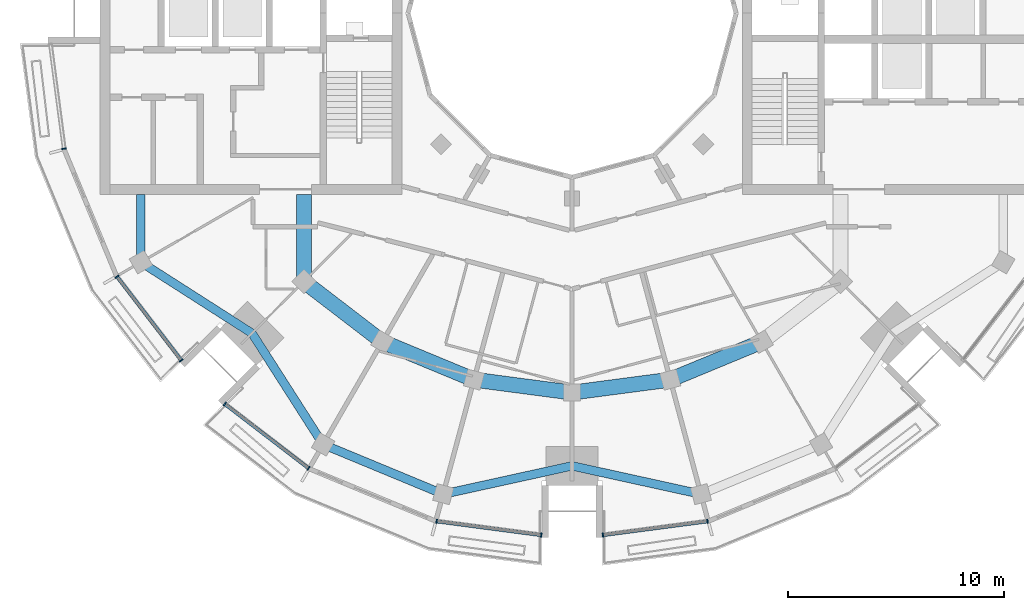
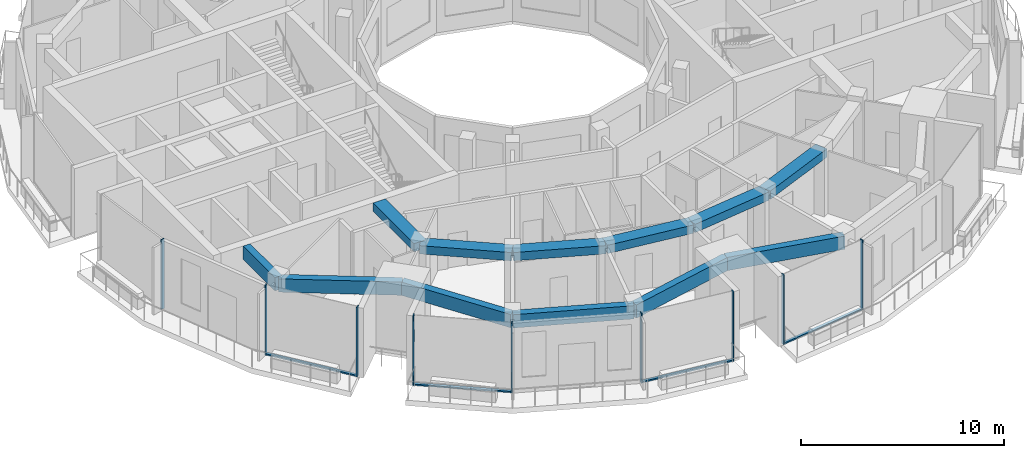
# One storey, part 2 of 17: 13 members, 12 beams, 5 elements without a shape of their own.
"""IFC4 building model written with IfcOpenShell, lengths in metres."""

from ifc_helpers import new_model, si_unit, direction, frame, origin, origin_2d, place, context, subcontext, project, spatial, rectangle, extrude, material, layer, layer_set, material_profile, profile_set, type_object, element, aggregate, save


model = new_model("IFC4")

# Units and contexts
model_context = context("Model", 3, precision=1e-05, world=origin(), true_north=direction((0.0, 1.0)))
body_context = subcontext(model_context, "Body", "Model", "MODEL_VIEW")
ifc_project = project(units=[si_unit("LENGTHUNIT", "METRE"), si_unit("AREAUNIT", "SQUARE_METRE"), si_unit("VOLUMEUNIT", "CUBIC_METRE"), si_unit("PLANEANGLEUNIT", "RADIAN"), si_unit("MASSUNIT", "GRAM", prefix="KILO")], contexts=[model_context])

# Site, building, storey
site_placement = place(None, origin())
site = spatial("IfcSite", under=ifc_project, at=site_placement, CompositionType="ELEMENT")
building_placement = place(site_placement, origin())
building = spatial("IfcBuilding", under=site, at=building_placement, Name="Torre Brocal", CompositionType="ELEMENT")
storey_placement = place(building_placement, frame((0.0, 0.0, 275.699951171875)))
storey = spatial("IfcBuildingStorey", under=building, at=storey_placement, Name="L63", CompositionType="ELEMENT", Elevation=275.699951171875)

# Curtain wall, members
ifc_material_1 = material(Name="Aluminium and glass", Category="aluminium")
ifc_layer_1 = layer(ifc_material_1, 0.199951171875)
ifc_layer_set_1 = layer_set([ifc_layer_1], Name="Aluminium and glass")
curtain_wall_type_1 = type_object("IfcCurtainWallType", Name="CW-1 CURTAIN WALL 4200 HIGH", PredefinedType="NOTDEFINED", material=ifc_layer_set_1)
curtain_wall_1_placement = place(storey_placement, origin())
curtain_wall_1 = element("IfcCurtainWall", 1, at=curtain_wall_1_placement, inside=storey, type_object=curtain_wall_type_1, Name="CW-1 RUN 15", PredefinedType="NOTDEFINED")
ifc_material_2 = material(Name="Aluminium, dark anodised", Category="aluminium")
ifc_material_profile_1 = material_profile(ifc_material_2, rectangle(XDim=0.199951171875, YDim=0.06005859375, at=origin_2d()), Name="CW-1 MULLION 60X200")
ifc_profile_set_1 = profile_set([ifc_material_profile_1], Name="Aluminium, dark anodised")
member_type_1 = type_object("IfcMemberType", Name="CW-1 MULLION 60X200", PredefinedType="MULLION", material=ifc_profile_set_1)
member_1_placement = place(storey_placement, frame((58.887939453125, 62.776611328125, 0.0), z_axis=(0.0, 0.0, 1.0), x_axis=(0.793353340344, 0.608761428939, 0.0)))
member_1 = element("IfcMember", 2, at=member_1_placement, type_object=member_type_1, Name="CW1-5 mullion 1", PredefinedType="MULLION", context=body_context, shape_type="SweptSolid", body=[
    extrude(rectangle(XDim=0.199951171875, YDim=0.06005859375, at=origin_2d()), origin(), (0.0, 0.0, 1.0), 4.199951171875),
])
member_2_placement = place(storey_placement, frame((61.869384765625, 58.891357421875, 0.0), z_axis=(0.0, 0.0, 1.0), x_axis=(0.793353340344, 0.608761428939, 0.0)))
member_2 = element("IfcMember", 3, at=member_2_placement, type_object=member_type_1, Name="CW1-5 mullion 2", PredefinedType="MULLION", context=body_context, shape_type="SweptSolid", body=[
    extrude(rectangle(XDim=0.199951171875, YDim=0.06005859375, at=origin_2d()), origin(), (0.0, 0.0, 1.0), 4.199951171875),
])

curtain_wall_2_placement = place(storey_placement, origin())
curtain_wall_2 = element("IfcCurtainWall", 4, at=curtain_wall_2_placement, inside=storey, type_object=curtain_wall_type_1, Name="CW-1 RUN 16", PredefinedType="NOTDEFINED")
member_3_placement = place(storey_placement, frame((63.891357421875, 56.869384765625, 0.0), z_axis=(0.0, 0.0, 1.0), x_axis=(0.608761428939, 0.793353340344, 0.0)))
member_3 = element("IfcMember", 5, at=member_3_placement, type_object=member_type_1, Name="CW1-5 mullion 1", PredefinedType="MULLION", context=body_context, shape_type="SweptSolid", body=[
    extrude(rectangle(XDim=0.199951171875, YDim=0.06005859375, at=origin_2d()), origin(), (0.0, 0.0, 1.0), 4.199951171875),
])
member_4_placement = place(storey_placement, frame((67.776611328125, 53.887939453125, 0.0), z_axis=(0.0, 0.0, 1.0), x_axis=(0.608761428939, 0.793353340344, 0.0)))
member_4 = element("IfcMember", 6, at=member_4_placement, type_object=member_type_1, Name="CW1-5 mullion 2", PredefinedType="MULLION", context=body_context, shape_type="SweptSolid", body=[
    extrude(rectangle(XDim=0.199951171875, YDim=0.06005859375, at=origin_2d()), origin(), (0.0, 0.0, 1.0), 4.199951171875),
])

curtain_wall_3_placement = place(storey_placement, origin())
curtain_wall_3 = element("IfcCurtainWall", 7, at=curtain_wall_3_placement, inside=storey, type_object=curtain_wall_type_1, Name="CW-1 RUN 18", PredefinedType="NOTDEFINED")
member_5_placement = place(storey_placement, frame((73.71484375, 51.42822265625, 0.0), z_axis=(0.0, 0.0, 1.0), x_axis=(0.130526192116, 0.991444861387, 0.0)))
member_5 = element("IfcMember", 8, at=member_5_placement, type_object=member_type_1, Name="CW1-5 mullion 1", PredefinedType="MULLION", context=body_context, shape_type="SweptSolid", body=[
    extrude(rectangle(XDim=0.199951171875, YDim=0.06005859375, at=origin_2d()), origin(), (0.0, 0.0, 1.0), 4.199951171875),
])
member_6_placement = place(storey_placement, frame((78.5703125, 50.7890625, 0.0), z_axis=(0.0, 0.0, 1.0), x_axis=(0.130526192116, 0.991444861387, 0.0)))
member_6 = element("IfcMember", 9, at=member_6_placement, type_object=member_type_1, Name="CW1-5 mullion 2", PredefinedType="MULLION", context=body_context, shape_type="SweptSolid", body=[
    extrude(rectangle(XDim=0.199951171875, YDim=0.06005859375, at=origin_2d()), origin(), (0.0, 0.0, 1.0), 4.199951171875),
])

curtain_wall_4_placement = place(storey_placement, origin())
curtain_wall_4 = element("IfcCurtainWall", 10, at=curtain_wall_4_placement, inside=storey, type_object=curtain_wall_type_1, Name="CW-1 RUN 19", PredefinedType="NOTDEFINED")
member_7_placement = place(storey_placement, frame((81.4296875, 50.7890625, 0.0), z_axis=(0.0, 0.0, 1.0), x_axis=(-0.130526192116, 0.991444861387, 0.0)))
member_7 = element("IfcMember", 11, at=member_7_placement, type_object=member_type_1, Name="CW1-5 mullion 1", PredefinedType="MULLION", context=body_context, shape_type="SweptSolid", body=[
    extrude(rectangle(XDim=0.199951171875, YDim=0.06005859375, at=origin_2d()), origin(), (0.0, 0.0, 1.0), 4.199951171875),
])
member_8_placement = place(storey_placement, frame((86.28515625, 51.42822265625, 0.0), z_axis=(0.0, 0.0, 1.0), x_axis=(-0.130526192116, 0.991444861387, 0.0)))
member_8 = element("IfcMember", 12, at=member_8_placement, type_object=member_type_1, Name="CW1-5 mullion 2", PredefinedType="MULLION", context=body_context, shape_type="SweptSolid", body=[
    extrude(rectangle(XDim=0.199951171875, YDim=0.06005859375, at=origin_2d()), origin(), (0.0, 0.0, 1.0), 4.199951171875),
])

# Member
ifc_material_3 = material(Name="Aluminium, dark anodised", Category="aluminium")
ifc_material_profile_2 = material_profile(ifc_material_3, rectangle(XDim=0.159912109375, YDim=0.080078125, at=origin_2d()), Name="CW-1 TRANSOM 160X80")
ifc_profile_set_2 = profile_set([ifc_material_profile_2], Name="Aluminium, dark anodised")
member_type_2 = type_object("IfcMemberType", Name="CW-1 TRANSOM 160X80", PredefinedType="USERDEFINED", material=ifc_profile_set_2)
member_9_placement = place(storey_placement, frame((58.90625, 62.7529296875, 0.0400390625), z_axis=(0.608749350163, -0.793362608569, 0.0), x_axis=(0.793362608569, 0.608749350163, 0.0)))
member_9 = element("IfcMember", 13, at=member_9_placement, type_object=member_type_2, Name="CW1-5 transom 1.1", ObjectType="TRANSOM", PredefinedType="USERDEFINED", context=body_context, shape_type="SweptSolid", body=[
    extrude(rectangle(XDim=0.159912109375, YDim=0.080078125, at=origin_2d()), origin(), (0.0, 0.0, 1.0), 4.83740234375),
])

aggregate(curtain_wall_1, [member_1, member_2, member_9])

member_10_placement = place(storey_placement, frame((63.9150390625, 56.85107421875, 0.0400390625), z_axis=(0.793362608569, -0.608749350163, 0.0), x_axis=(0.608749350163, 0.793362608569, 0.0)))
member_10 = element("IfcMember", 14, at=member_10_placement, type_object=member_type_2, Name="CW1-5 transom 1.1", ObjectType="TRANSOM", PredefinedType="USERDEFINED", context=body_context, shape_type="SweptSolid", body=[
    extrude(rectangle(XDim=0.159912109375, YDim=0.080078125, at=origin_2d()), origin(), (0.0, 0.0, 1.0), 4.83740234375),
])

aggregate(curtain_wall_2, [member_3, member_4, member_10])

member_11_placement = place(storey_placement, frame((73.74462890625, 51.42431640625, 0.0400390625), z_axis=(0.991446047842, -0.130517179786, 0.0), x_axis=(0.130517179786, 0.991446047842, 0.0)))
member_11 = element("IfcMember", 15, at=member_11_placement, type_object=member_type_2, Name="CW1-5 transom 1.1", ObjectType="TRANSOM", PredefinedType="USERDEFINED", context=body_context, shape_type="SweptSolid", body=[
    extrude(rectangle(XDim=0.159912109375, YDim=0.080078125, at=origin_2d()), origin(), (0.0, 0.0, 1.0), 4.837158203125),
])

aggregate(curtain_wall_3, [member_5, member_6, member_11])

member_12_placement = place(storey_placement, frame((81.45947265625, 50.79296875, 0.0400390625), z_axis=(0.991446047842, 0.130517179786, 0.0), x_axis=(-0.130517179786, 0.991446047842, 0.0)))
member_12 = element("IfcMember", 16, at=member_12_placement, type_object=member_type_2, Name="CW1-5 transom 1.1", ObjectType="TRANSOM", PredefinedType="USERDEFINED", context=body_context, shape_type="SweptSolid", body=[
    extrude(rectangle(XDim=0.159912109375, YDim=0.080078125, at=origin_2d()), origin(), (0.0, 0.0, 1.0), 4.837158203125),
])

aggregate(curtain_wall_4, [member_7, member_8, member_12])

# Curtain wall, member
ifc_material_4 = material(Name="Aluminium and glass", Category="aluminium")
ifc_layer_2 = layer(ifc_material_4, 0.199951171875)
ifc_layer_set_2 = layer_set([ifc_layer_2], Name="Aluminium and glass")
curtain_wall_type_2 = type_object("IfcCurtainWallType", Name="CW-1B CURTAIN WALL 4200 HIGH", PredefinedType="NOTDEFINED", material=ifc_layer_set_2)
curtain_wall_5_placement = place(storey_placement, origin())
curtain_wall_5 = element("IfcCurtainWall", 17, at=curtain_wall_5_placement, inside=storey, type_object=curtain_wall_type_2, Name="CW-1B RUN 13", PredefinedType="NOTDEFINED")
ifc_material_5 = material(Name="Aluminium, dark anodised", Category="aluminium")
ifc_material_profile_3 = material_profile(ifc_material_5, rectangle(XDim=0.199951171875, YDim=0.06005859375, at=origin_2d()), Name="CW-1B MULLION 60X200")
ifc_profile_set_3 = profile_set([ifc_material_profile_3], Name="Aluminium, dark anodised")
member_type_3 = type_object("IfcMemberType", Name="CW-1B MULLION 60X200", PredefinedType="MULLION", material=ifc_profile_set_3)
member_13_placement = place(storey_placement, frame((56.42822265625, 68.71484375, 0.0), z_axis=(0.0, 0.0, 1.0), x_axis=(0.991444861387, 0.130526192116, 0.0)))
member_13 = element("IfcMember", 18, at=member_13_placement, type_object=member_type_3, Name="CW1B-5 mullion 2", PredefinedType="MULLION", context=body_context, shape_type="SweptSolid", body=[
    extrude(rectangle(XDim=0.199951171875, YDim=0.06005859375, at=origin_2d()), origin(), (0.0, 0.0, 1.0), 4.199951171875),
])
aggregate(curtain_wall_5, [member_13])

# Beams
ifc_material_6 = material(Name="Concrete C50", Category="concrete")
ifc_material_profile_4 = material_profile(ifc_material_6, rectangle(XDim=0.699951171875, YDim=0.5, at=origin_2d()), Name="RC 700X500")
ifc_profile_set_4 = profile_set([ifc_material_profile_4], Name="Concrete C50")
beam_type_1 = type_object("IfcBeamType", Name="RC BEAM 700X500 C50 TOP 3880", PredefinedType="BEAM", material=ifc_profile_set_4)
beam_1_placement = place(storey_placement, frame((67.554931640625, 62.554931640625, 3.630126953125), z_axis=(0.0, 1.0, 0.0), x_axis=(-1.0, 0.0, 0.0)))
element("IfcBeam", 19, at=beam_1_placement, inside=storey, type_object=beam_type_1, Name="Beam BT-37", PredefinedType="BEAM", context=body_context, shape_type="SweptSolid", body=[
    extrude(rectangle(XDim=0.699951171875, YDim=0.5, at=origin_2d()), origin(), (0.0, 0.0, 1.0), 4.045166015625),
])
beam_2_placement = place(storey_placement, frame((67.554931640625, 62.554931640625, 3.630126953125), z_axis=(0.793358265959, -0.6087550097, 0.0), x_axis=(0.6087550097, 0.793358265959, 0.0)))
element("IfcBeam", 20, at=beam_2_placement, inside=storey, type_object=beam_type_1, Name="Beam BT-37", PredefinedType="BEAM", context=body_context, shape_type="SweptSolid", body=[
    extrude(rectangle(XDim=0.699951171875, YDim=0.5, at=origin_2d()), origin(), (0.0, 0.0, 1.0), 4.594482421875),
])
beam_3_placement = place(storey_placement, frame((71.199951171875, 59.758056640625, 3.630126953125), z_axis=(0.923878240166, -0.382686552348, 0.0), x_axis=(0.382686552348, 0.923878240166, 0.0)))
element("IfcBeam", 21, at=beam_3_placement, inside=storey, type_object=beam_type_1, Name="Beam BT-37", PredefinedType="BEAM", context=body_context, shape_type="SweptSolid", body=[
    extrude(rectangle(XDim=0.699951171875, YDim=0.5, at=origin_2d()), origin(), (0.0, 0.0, 1.0), 4.5947265625),
])
for number, where, z_axis, x_axis, name in (
    (22, (75.44482421875, 57.999755859375, 3.630126953125), (0.991440544449, -0.130558978332, 0.0), (0.130558978332, 0.991440544449, 0.0), "Beam BT-37"),
    (23, (80.0, 57.39990234375, 3.630126953125), (0.991440544449, 0.130558978332, 0.0), (-0.130558978332, 0.991440544449, 0.0), "Beam BT-37"),
):
    element("IfcBeam", number, at=place(storey_placement, frame(where, z_axis=z_axis, x_axis=x_axis)), inside=storey, type_object=beam_type_1, Name=name, PredefinedType="BEAM", context=body_context, shape_type="SweptSolid", body=[
        extrude(rectangle(XDim=0.699951171875, YDim=0.5, at=origin_2d()), origin(), (0.0, 0.0, 1.0), 4.594482421875),
    ])
beam_4_placement = place(storey_placement, frame((84.55517578125, 57.999755859375, 3.630126953125), z_axis=(0.923878240166, 0.382686552348, 0.0), x_axis=(-0.382686552348, 0.923878240166, 0.0)))
element("IfcBeam", 24, at=beam_4_placement, inside=storey, type_object=beam_type_1, Name="Beam BT-37", PredefinedType="BEAM", context=body_context, shape_type="SweptSolid", body=[
    extrude(rectangle(XDim=0.699951171875, YDim=0.5, at=origin_2d()), origin(), (0.0, 0.0, 1.0), 4.5947265625),
])
ifc_material_7 = material(Name="Concrete C50", Category="concrete")
ifc_material_profile_5 = material_profile(ifc_material_7, rectangle(XDim=0.39990234375, YDim=0.800048828125, at=origin_2d()), Name="RC 400X800")
ifc_profile_set_5 = profile_set([ifc_material_profile_5], Name="Concrete C50")
beam_type_2 = type_object("IfcBeamType", Name="RC SPANDREL BEAM 400X800 C50 TOP 3880", PredefinedType="SPANDREL", material=ifc_profile_set_5)
beam_5_placement = place(storey_placement, frame((59.994873046875, 63.449951171875, 3.47998046875), z_axis=(0.0, 1.0, 0.0), x_axis=(-1.0, 0.0, 0.0)))
element("IfcBeam", 25, at=beam_5_placement, inside=storey, type_object=beam_type_2, Name="Beam BT-47", PredefinedType="SPANDREL", context=body_context, shape_type="SweptSolid", body=[
    extrude(rectangle(XDim=0.39990234375, YDim=0.800048828125, at=origin_2d()), origin(), (0.0, 0.0, 1.0), 3.150146484375),
])
for number, where, z_axis, x_axis, name in (
    (26, (59.994873046875, 63.449951171875, 3.47998046875), (0.842328620069, -0.538964280647, 0.0), (0.538964280647, 0.842328620069, 0.0), "Beam BT-47"),
    (27, (65.15087890625, 60.15087890625, 3.47998046875), (0.538964280647, -0.842328620069, 0.0), (0.842328620069, 0.538964280647, 0.0), "Beam BT-47"),
):
    element("IfcBeam", number, at=place(storey_placement, frame(where, z_axis=z_axis, x_axis=x_axis)), inside=storey, type_object=beam_type_2, Name=name, PredefinedType="SPANDREL", context=body_context, shape_type="SweptSolid", body=[
        extrude(rectangle(XDim=0.39990234375, YDim=0.800048828125, at=origin_2d()), origin(), (0.0, 0.0, 1.0), 6.12109375),
    ])
beam_6_placement = place(storey_placement, frame((68.449951171875, 54.994873046875, 3.47998046875), z_axis=(0.923870278372, -0.38270577307, 0.0), x_axis=(0.38270577307, 0.923870278372, 0.0)))
element("IfcBeam", 28, at=beam_6_placement, inside=storey, type_object=beam_type_2, Name="Beam BT-47", PredefinedType="SPANDREL", context=body_context, shape_type="SweptSolid", body=[
    extrude(rectangle(XDim=0.39990234375, YDim=0.800048828125, at=origin_2d()), origin(), (0.0, 0.0, 1.0), 6.0302734375),
])
for number, where, z_axis, x_axis, name in (
    (29, (74.021240234375, 52.68701171875, 3.47998046875), (0.976724578001, 0.214497316366, 0.0), (-0.214497316366, 0.976724578001, 0.0), "Beam BT-47"),
    (30, (80.0, 54.0, 3.47998046875), (0.976724578001, -0.214497316366, 0.0), (0.214497316366, 0.976724578001, 0.0), "Beam BT-47"),
):
    element("IfcBeam", number, at=place(storey_placement, frame(where, z_axis=z_axis, x_axis=x_axis)), inside=storey, type_object=beam_type_2, Name=name, PredefinedType="SPANDREL", context=body_context, shape_type="SweptSolid", body=[
        extrude(rectangle(XDim=0.39990234375, YDim=0.800048828125, at=origin_2d()), origin(), (0.0, 0.0, 1.0), 6.121337890625),
    ])

save(model, "model.ifc")
